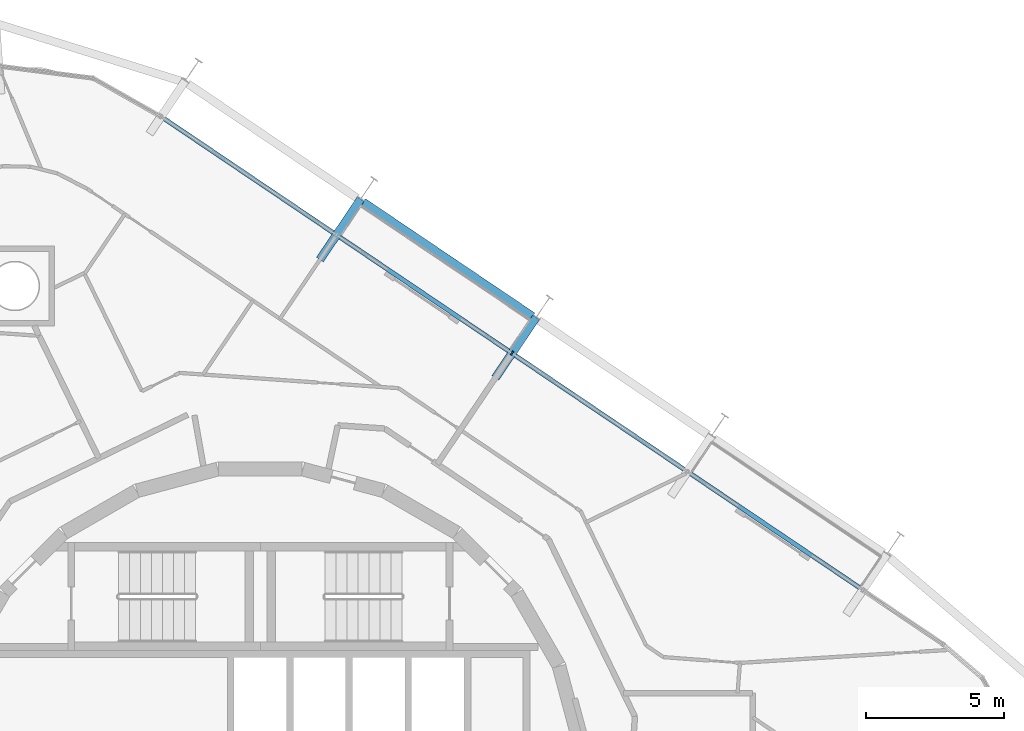
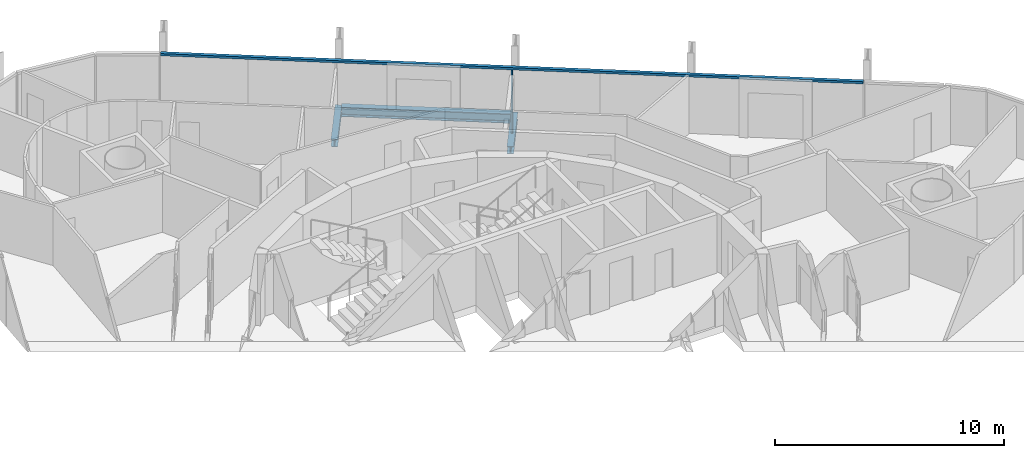
# One storey, part 7 of 18: 3 beams, 2 members, 1 element without a shape of its own.
"""IFC4 building model written with IfcOpenShell, lengths in metres."""

from ifc_helpers import new_model, si_unit, direction, frame, origin, origin_2d, place, context, subcontext, project, spatial, rectangle, i_section, extrude, material, layer, layer_set, material_profile, profile_set, type_object, element, aggregate, save


model = new_model("IFC4")

# Units and contexts
model_context = context("Model", 3, precision=1e-05, world=origin(), true_north=direction((0.0, 1.0)))
body_context = subcontext(model_context, "Body", "Model", "MODEL_VIEW")
ifc_project = project(units=[si_unit("LENGTHUNIT", "METRE"), si_unit("AREAUNIT", "SQUARE_METRE"), si_unit("VOLUMEUNIT", "CUBIC_METRE"), si_unit("PLANEANGLEUNIT", "RADIAN"), si_unit("MASSUNIT", "GRAM", prefix="KILO")], contexts=[model_context])

# Site, building, storey
site_placement = place(None, origin())
site = spatial("IfcSite", under=ifc_project, at=site_placement, CompositionType="ELEMENT")
building_placement = place(site_placement, origin())
building = spatial("IfcBuilding", under=site, at=building_placement, Name="Spindle Arch Residences", CompositionType="ELEMENT")
storey_placement = place(building_placement, frame((0.0, 0.0, 205.89990234375)))
storey = spatial("IfcBuildingStorey", under=building, at=storey_placement, Name="L52", CompositionType="ELEMENT", Elevation=205.89990234375)

# Curtain wall, members
ifc_material_1 = material(Name="Aluminium bronze unitised frame with tinted glass", Category="aluminium")
ifc_layer = layer(ifc_material_1, 0.159912109375)
ifc_layer_set = layer_set([ifc_layer], Name="CW-C typical residential unitised wall")
curtain_wall_type = type_object("IfcCurtainWallType", Name="CW-C typical residential unitised wall", PredefinedType="NOTDEFINED", material=ifc_layer_set)
curtain_wall_placement = place(storey_placement, origin())
curtain_wall = element("IfcCurtainWall", 1, at=curtain_wall_placement, inside=storey, type_object=curtain_wall_type, Name="CW-C L52 run 2", PredefinedType="NOTDEFINED")
ifc_material_2 = material(Name="Aluminium bronze anodised mullion", Category="aluminium")
ifc_material_profile_1 = material_profile(ifc_material_2, rectangle(XDim=0.159912109375, YDim=0.06005859375, at=origin_2d()), Name="MU 60x160")
ifc_profile_set_1 = profile_set([ifc_material_profile_1], Name="Aluminium bronze anodised mullion")
member_type_1 = type_object("IfcMemberType", Name="Bronze mullion 60x160", PredefinedType="MULLION", material=ifc_profile_set_1)
member_1_placement = place(storey_placement, frame((9.148193359375, 15.85595703125, -0.3798828125), z_axis=(0.0, 0.0, 1.0), x_axis=(-0.559192903471, -0.829037572555, 0.0)))
member_1 = element("IfcMember", 2, at=member_1_placement, type_object=member_type_1, Name="CW-C mullion 07", PredefinedType="MULLION", context=body_context, shape_type="SweptSolid", body=[
    extrude(rectangle(XDim=0.159912109375, YDim=0.06005859375, at=origin_2d()), origin(), (0.0, 0.0, 1.0), 3.3798828125),
])
ifc_material_3 = material(Name="Aluminium bronze anodised transom", Category="aluminium")
ifc_material_profile_2 = material_profile(ifc_material_3, rectangle(XDim=0.159912109375, YDim=0.1201171875, at=origin_2d()), Name="TR 120x160")
ifc_profile_set_2 = profile_set([ifc_material_profile_2], Name="Aluminium bronze anodised transom")
member_type_2 = type_object("IfcMemberType", Name="Bronze transom 120x160", PredefinedType="USERDEFINED", material=ifc_profile_set_2)
member_2_placement = place(storey_placement, frame((21.880126953125, 7.26806640625, 3.06005859375), z_axis=(-0.829038450691, 0.559191601578, 0.0), x_axis=(-0.559191601578, -0.829038450691, 0.0)))
member_2 = element("IfcMember", 3, at=member_2_placement, type_object=member_type_2, Name="CW-C transom 00", ObjectType="TRANSOM", PredefinedType="USERDEFINED", context=body_context, shape_type="SweptSolid", body=[
    extrude(rectangle(XDim=0.159912109375, YDim=0.1201171875, at=origin_2d()), origin(), (0.0, 0.0, 1.0), 30.71484375),
])
aggregate(curtain_wall, [member_2, member_1])

# Beams
ifc_material_4 = material(Name="Steel S460ML, intumescent coating R 120", Category="steel")
ifc_material_profile_3 = material_profile(ifc_material_4, i_section(OverallWidth=0.300048828125, OverallDepth=0.5, WebThickness=0.014404296875, FlangeThickness=0.028076171875, FilletRadius=0.027099609375, at=origin_2d()), Name="HEB 500")
ifc_profile_set_3 = profile_set([ifc_material_profile_3], Name="Steel S460ML, intumescent coating R 120")
beam_type_1 = type_object("IfcBeamType", Name="Exoskeleton edge beam HEB 500", PredefinedType="BEAM", material=ifc_profile_set_3)
beam_placement = place(storey_placement, frame((9.89599609375, 17.197021484375, -0.6298828125), z_axis=(-0.829031763913, 0.55920151504, 0.0), x_axis=(-0.55920151504, -0.829031763913, 0.0)))
element("IfcBeam", 4, at=beam_placement, inside=storey, type_object=beam_type_1, Name="Exoskeleton edge beam 8", PredefinedType="BEAM", context=body_context, shape_type="SweptSolid", body=[
    extrude(i_section(OverallWidth=0.300048828125, OverallDepth=0.5, WebThickness=0.014404296875, FlangeThickness=0.028076171875, FilletRadius=0.027099609375, at=origin_2d()), origin(), (0.0, 0.0, 1.0), 7.433837890625),
])
ifc_material_5 = material(Name="Steel S460ML, intumescent coating R 120", Category="steel")
ifc_material_profile_4 = material_profile(ifc_material_5, i_section(OverallWidth=0.300048828125, OverallDepth=0.389892578125, WebThickness=0.010986328125, FlangeThickness=0.01904296875, FilletRadius=0.027099609375, at=origin_2d()), Name="HEA 400")
ifc_profile_set_4 = profile_set([ifc_material_profile_4], Name="Steel S460ML, intumescent coating R 120")
beam_type_2 = type_object("IfcBeamType", Name="Floor outrigger HEA 400", PredefinedType="BEAM", material=ifc_profile_set_4)
for number, where, z_axis, x_axis, name in (
    (5, (10.026123046875, 17.157470703125, -0.574951171875), (-0.559241810757, -0.829004582075, 0.0), (0.829004582075, -0.559241810757, 0.0), "Floor outrigger 8"),
    (6, (3.647705078125, 21.459716796875, -0.574951171875), (-0.559135777436, -0.829076101688, 0.0), (0.829076101688, -0.559135777436, 0.0), "Floor outrigger 9"),
):
    element("IfcBeam", number, at=place(storey_placement, frame(where, z_axis=z_axis, x_axis=x_axis)), inside=storey, type_object=beam_type_2, Name=name, PredefinedType="BEAM", context=body_context, shape_type="SweptSolid", body=[
        extrude(i_section(OverallWidth=0.300048828125, OverallDepth=0.389892578125, WebThickness=0.010986328125, FlangeThickness=0.01904296875, FilletRadius=0.027099609375, at=origin_2d()), origin(), (0.0, 0.0, 1.0), 2.64990234375),
    ])

save(model, "model.ifc")
